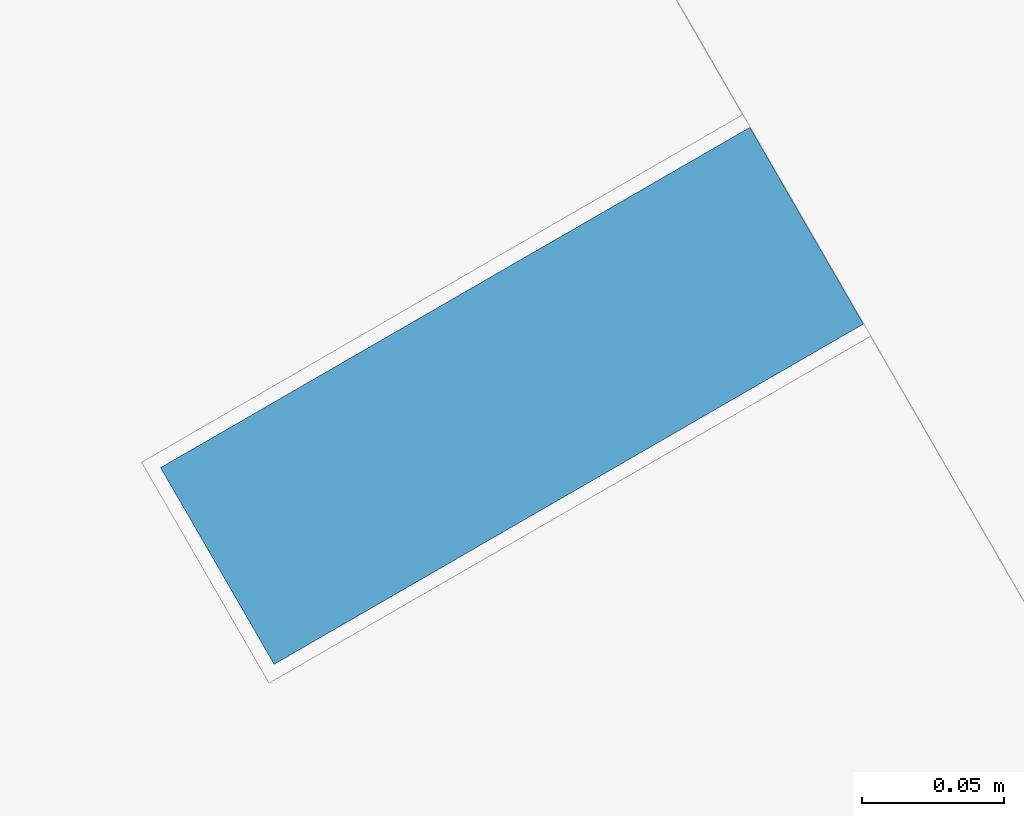
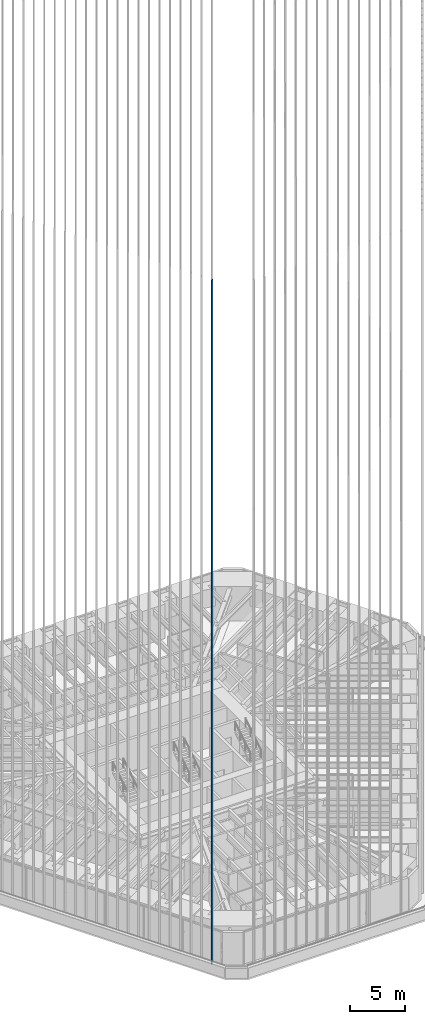
# One storey, part 10 of 238: 1 member, 1 element without a shape of its own.
"""IFC4 building model written with IfcOpenShell, lengths in metres."""

from ifc_helpers import new_model, si_unit, direction, frame, origin, origin_2d, place, context, subcontext, project, spatial, rectangle, extrude, material, material_profile, profile_set, type_object, element, aggregate, save


model = new_model("IFC4")

# Units and contexts
model_context = context("Model", 3, precision=1e-05, world=origin(), true_north=direction((0.0, 1.0)))
body_context = subcontext(model_context, "Body", "Model", "MODEL_VIEW")
ifc_project = project(units=[si_unit("LENGTHUNIT", "METRE"), si_unit("AREAUNIT", "SQUARE_METRE"), si_unit("VOLUMEUNIT", "CUBIC_METRE"), si_unit("PLANEANGLEUNIT", "RADIAN"), si_unit("MASSUNIT", "GRAM", prefix="KILO")], contexts=[model_context])

# Site, building, storey
site_placement = place(None, origin())
site = spatial("IfcSite", under=ifc_project, at=site_placement, CompositionType="ELEMENT")
building_placement = place(site_placement, origin())
building = spatial("IfcBuilding", under=site, at=building_placement, Name="Sandreach Pilgrim Tower", CompositionType="ELEMENT")
storey_placement = place(building_placement, frame((0.0, 0.0, 96.800048828125)))
storey = spatial("IfcBuildingStorey", under=building, at=storey_placement, Name="L23", CompositionType="ELEMENT", Elevation=96.800048828125)

# Curtain wall, member
ifc_material_1 = material(Name="Aluminium framed curtain wall", Category="aluminium")
curtain_wall_type = type_object("IfcCurtainWallType", Name="Hotel tower curtain wall", PredefinedType="NOTDEFINED", material=ifc_material_1)
curtain_wall_placement = place(storey_placement, origin())
curtain_wall = element("IfcCurtainWall", 1, at=curtain_wall_placement, inside=storey, type_object=curtain_wall_type, Name="CW-2 L23 SW", PredefinedType="NOTDEFINED")
ifc_material_2 = material(Name="Extruded terracotta on aluminium core", Category="masonry")
ifc_material_profile = material_profile(ifc_material_2, rectangle(XDim=0.080078125, YDim=0.239990234375, at=origin_2d()), Name="TBW 80X240")
ifc_profile_set = profile_set([ifc_material_profile], Name="Extruded terracotta on aluminium core")
member_type = type_object("IfcMemberType", Name="Terracotta baguette west", PredefinedType="USERDEFINED", material=ifc_profile_set)
member_placement = place(storey_placement, frame((-11.03271484375, -26.718505859375, 0.0), z_axis=(0.0, 0.0, 1.0), x_axis=(-0.5, 0.866025403784, 0.0)))
member = element("IfcMember", 2, at=member_placement, type_object=member_type, Name="Baguette Z2 SW01", ObjectType="BAGUETTE", PredefinedType="USERDEFINED", context=body_context, shape_type="SweptSolid", body=[
    extrude(rectangle(XDim=0.080078125, YDim=0.239990234375, at=origin_2d()), origin(), (0.0, 0.0, 1.0), 75.83984375),
])
aggregate(curtain_wall, [member])

save(model, "model.ifc")
